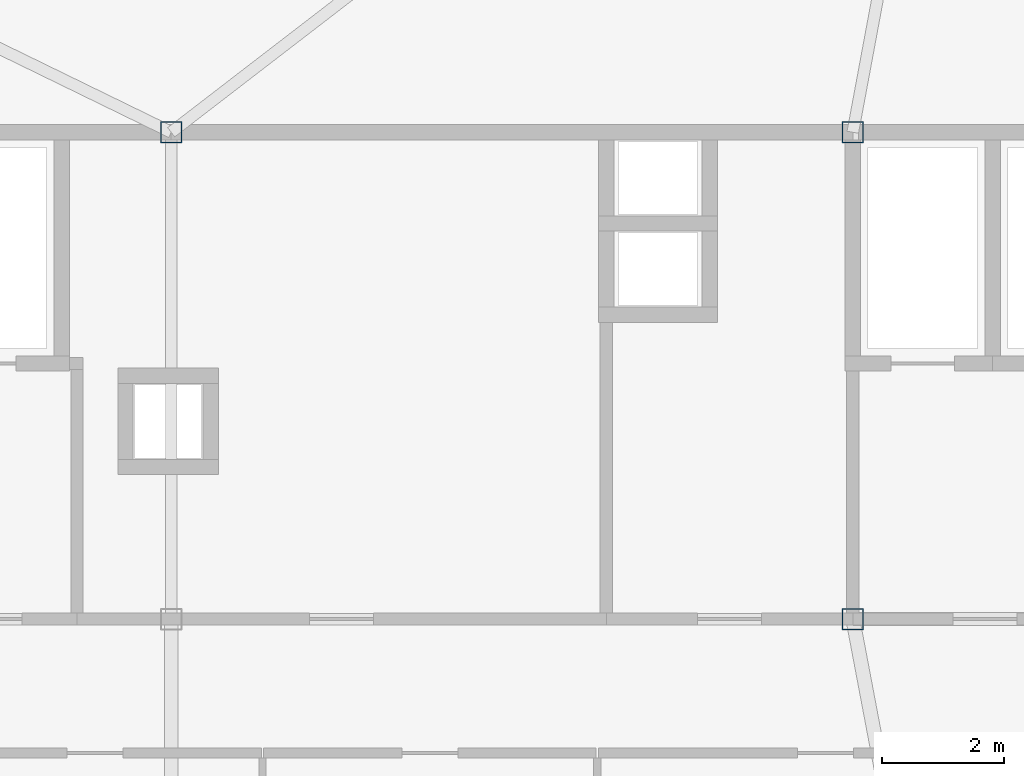
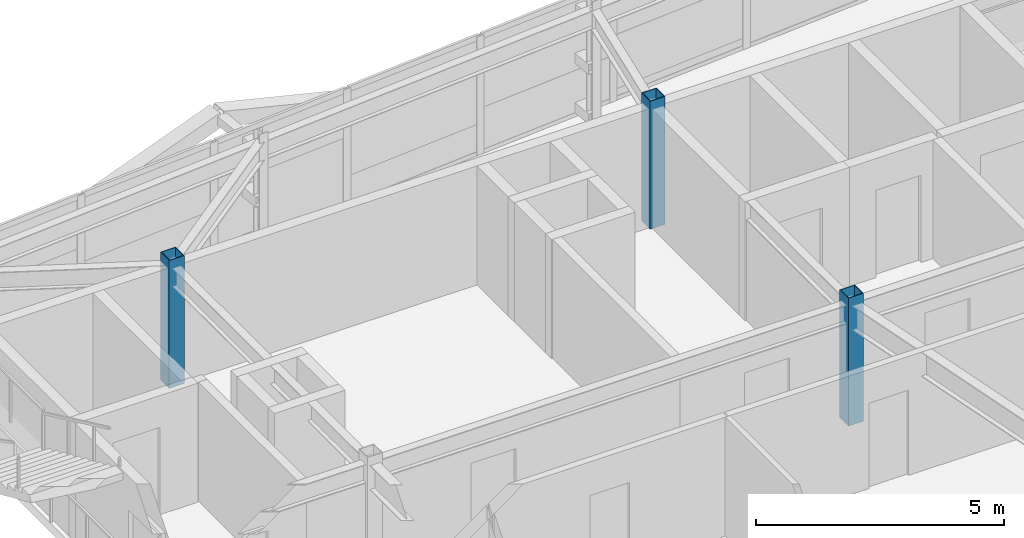
# One storey, part 3 of 46: 3 columns.
"""IFC4 building model written with IfcOpenShell, lengths in metres."""

from ifc_helpers import new_model, si_unit, direction, frame, origin, origin_2d, place, context, subcontext, project, spatial, hollow_rectangle, extrude, source, transform, mapped, material, material_profile, profile_set, type_object, element, save


model = new_model("IFC4")

# Units and contexts
model_context = context("Model", 3, precision=1e-05, world=origin(), true_north=direction((0.0, 1.0)))
body_context = subcontext(model_context, "Body", "Model", "MODEL_VIEW")
ifc_project = project(units=[si_unit("LENGTHUNIT", "METRE"), si_unit("AREAUNIT", "SQUARE_METRE"), si_unit("VOLUMEUNIT", "CUBIC_METRE"), si_unit("PLANEANGLEUNIT", "RADIAN"), si_unit("MASSUNIT", "GRAM", prefix="KILO")], contexts=[model_context])

# Site, building, storey
site_placement = place(None, origin())
site = spatial("IfcSite", under=ifc_project, at=site_placement, CompositionType="ELEMENT")
building_placement = place(site_placement, origin())
building = spatial("IfcBuilding", under=site, at=building_placement, Name="Taldren Reach Tower", CompositionType="ELEMENT")
storey_placement = place(building_placement, frame((0.0, 0.0, 188.300048828125)))
storey = spatial("IfcBuildingStorey", under=building, at=storey_placement, Name="L57", CompositionType="ELEMENT", Elevation=188.300048828125)

# Columns
ifc_material = material(Name="Steel Gr 450 (C450L0)", Category="steel")
ifc_material_profile = material_profile(ifc_material, hollow_rectangle(XDim=0.35009765625, YDim=0.35009765625, WallThickness=0.01611328125, at=origin_2d()), Name="350x350x16.0SHS")
ifc_profile_set = profile_set([ifc_material_profile], Name="Steel Gr 450 (C450L0)")
column_type = type_object("IfcColumnType", Name="COL-SHS350", PredefinedType="COLUMN", material=ifc_profile_set)
shared_shape = source(origin(), body_context, "Body", "SweptSolid", [
    extrude(hollow_rectangle(XDim=0.35009765625, YDim=0.35009765625, WallThickness=0.01611328125, at=origin_2d()), origin(), (0.0, 0.0, 1.0), 3.14990234375),
])
for number, where, z_axis, x_axis, name in (
    (1, (39.199951171875, 24.0, 0.0), (0.0, 0.0, 1.0), (1.0, 0.0, 0.0), "Mega column MC-C3 L57"),
    (2, (28.0, 32.0, 0.0), (0.0, 0.0, 1.0), (1.0, 0.0, 0.0), "Mega column MC-C6 L57"),
    (3, (39.199951171875, 32.0, 0.0), (0.0, 0.0, 1.0), (1.0, 0.0, 0.0), "Mega column MC-C7 L57"),
):
    element("IfcColumn", number, at=place(storey_placement, frame(where, z_axis=z_axis, x_axis=x_axis)), inside=storey, type_object=column_type, Name=name, PredefinedType="COLUMN", context=body_context, shape_type="MappedRepresentation", body=[
        mapped(shared_shape, transform((0.0, 0.0, 0.0), scale=1.0)),
    ])

save(model, "model.ifc")
